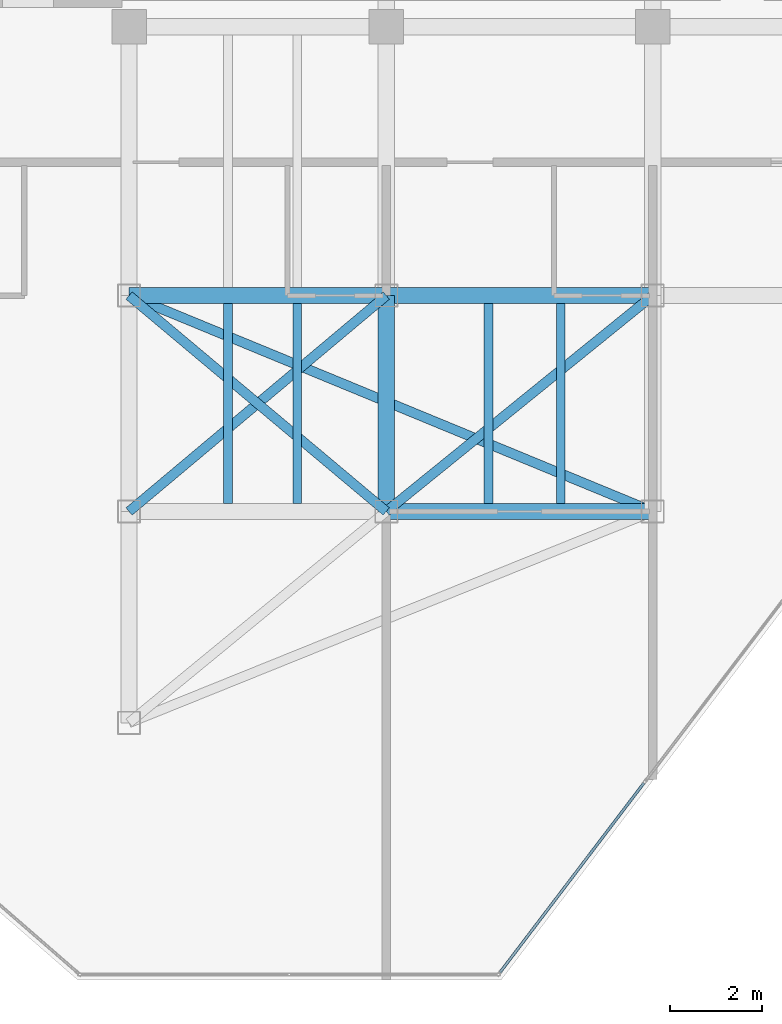
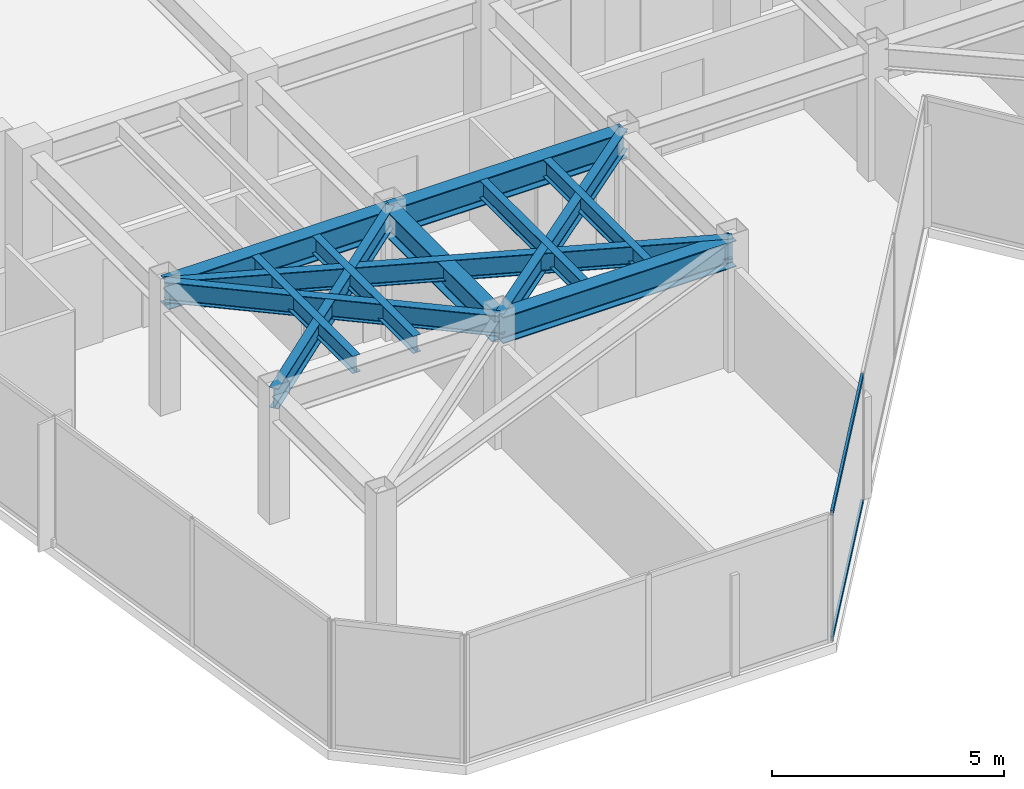
# One storey, part 6 of 20: 12 beams, 2 members, 1 element without a shape of its own.
"""IFC4 building model written with IfcOpenShell, lengths in metres."""

from ifc_helpers import new_model, si_unit, direction, frame, origin, origin_2d, place, context, subcontext, project, spatial, hollow_rectangle, i_section, extrude, material, layer, layer_set, material_profile, profile_set, type_object, element, aggregate, save


model = new_model("IFC4")

# Units and contexts
model_context = context("Model", 3, precision=1e-05, world=origin(), true_north=direction((0.0, 1.0)))
body_context = subcontext(model_context, "Body", "Model", "MODEL_VIEW")
ifc_project = project(units=[si_unit("LENGTHUNIT", "METRE"), si_unit("AREAUNIT", "SQUARE_METRE"), si_unit("VOLUMEUNIT", "CUBIC_METRE"), si_unit("PLANEANGLEUNIT", "RADIAN"), si_unit("MASSUNIT", "GRAM", prefix="KILO")], contexts=[model_context])

# Site, building, storey
site_placement = place(None, origin())
site = spatial("IfcSite", under=ifc_project, at=site_placement, CompositionType="ELEMENT")
building_placement = place(site_placement, origin())
building = spatial("IfcBuilding", under=site, at=building_placement, Name="Kravanh Interchange Tower", CompositionType="ELEMENT")
storey_placement = place(building_placement, frame((0.0, 0.0, 238.199951171875)))
storey = spatial("IfcBuildingStorey", under=building, at=storey_placement, Name="L57", CompositionType="ELEMENT", Elevation=238.199951171875)

# Curtain wall, members
ifc_material_1 = material(Name="Anodised Bronze Aluminium", Category="aluminium")
ifc_layer = layer(ifc_material_1, 0.179931640625)
ifc_layer_set = layer_set([ifc_layer], Name="Unitised Curtain Wall System CW-HTL Luxury Hotel")
curtain_wall_type = type_object("IfcCurtainWallType", Name="Unitised Curtain Wall System CW-HTL Luxury Hotel", PredefinedType="NOTDEFINED", material=ifc_layer_set)
curtain_wall_placement = place(storey_placement, origin())
curtain_wall = element("IfcCurtainWall", 1, at=curtain_wall_placement, inside=storey, type_object=curtain_wall_type, Name="L57 Unitised Curtain Wall CW-L57-05", PredefinedType="NOTDEFINED")
ifc_material_2 = material(Name="Anodised Bronze Aluminium", Category="aluminium")
ifc_material_profile_1 = material_profile(ifc_material_2, hollow_rectangle(XDim=0.06005859375, YDim=0.139892578125, WallThickness=0.00390625, at=origin_2d()), Name="ALU60X140X4")
ifc_profile_set_1 = profile_set([ifc_material_profile_1], Name="Anodised Bronze Aluminium")
member_type = type_object("IfcMemberType", Name="Curtain Wall Transom ALU60X140X4 Bronze", PredefinedType="USERDEFINED", material=ifc_profile_set_1)
member_1_placement = place(storey_placement, frame((38.408935546875, 20.888916015625, 0.030029296875), z_axis=(-0.605089246946, -0.796157649734, 0.0), x_axis=(0.796157649734, -0.605089246946, 0.0)))
member_1 = element("IfcMember", 2, at=member_1_placement, type_object=member_type, Name="CW-HTL transom 3.1", ObjectType="TRANSOM", PredefinedType="USERDEFINED", context=body_context, shape_type="SweptSolid", body=[
    extrude(hollow_rectangle(XDim=0.06005859375, YDim=0.139892578125, WallThickness=0.00390625, at=origin_2d()), origin(), (0.0, 0.0, 1.0), 5.17626953125),
])
member_2_placement = place(storey_placement, frame((38.408935546875, 20.888916015625, 3.330078125), z_axis=(-0.605089246946, -0.796157649734, 0.0), x_axis=(0.796157649734, -0.605089246946, 0.0)))
member_2 = element("IfcMember", 3, at=member_2_placement, type_object=member_type, Name="CW-HTL transom 3.2", ObjectType="TRANSOM", PredefinedType="USERDEFINED", context=body_context, shape_type="SweptSolid", body=[
    extrude(hollow_rectangle(XDim=0.06005859375, YDim=0.139892578125, WallThickness=0.00390625, at=origin_2d()), origin(), (0.0, 0.0, 1.0), 5.17626953125),
])
aggregate(curtain_wall, [member_1, member_2])

# Beams
ifc_material_3 = material(Name="Structural Steel S355", Category="steel")
ifc_material_profile_2 = material_profile(ifc_material_3, i_section(OverallWidth=0.35498046875, OverallDepth=0.696044921875, WebThickness=0.015380859375, FlangeThickness=0.02490234375, FilletRadius=0.02392578125, at=origin_2d()), Name="W27X146")
ifc_profile_set_2 = profile_set([ifc_material_profile_2], Name="Structural Steel S355")
beam_type_1 = type_object("IfcBeamType", Name="Floor Beam W27X146 Structural Steel S355", PredefinedType="BEAM", material=ifc_profile_set_2)
beam_1_placement = place(storey_placement, frame((38.60009765625, 31.5, 3.011962890625), z_axis=(-1.0, 0.0, 0.0), x_axis=(0.0, -1.0, 0.0)))
element("IfcBeam", 4, at=beam_1_placement, inside=storey, type_object=beam_type_1, Name="L57 Primary Floor Girder 18", PredefinedType="BEAM", context=body_context, shape_type="SweptSolid", body=[
    extrude(i_section(OverallWidth=0.35498046875, OverallDepth=0.696044921875, WebThickness=0.015380859375, FlangeThickness=0.02490234375, FilletRadius=0.02392578125, at=origin_2d()), origin(), (0.0, 0.0, 1.0), 5.800048828125),
])
beam_2_placement = place(storey_placement, frame((32.800048828125, 31.5, 3.011962890625), z_axis=(0.0, -1.0, 0.0), x_axis=(1.0, 0.0, 0.0)))
element("IfcBeam", 5, at=beam_2_placement, inside=storey, type_object=beam_type_1, Name="L57 Primary Floor Girder 21", PredefinedType="BEAM", context=body_context, shape_type="SweptSolid", body=[
    extrude(i_section(OverallWidth=0.35498046875, OverallDepth=0.696044921875, WebThickness=0.015380859375, FlangeThickness=0.02490234375, FilletRadius=0.02392578125, at=origin_2d()), origin(), (0.0, 0.0, 1.0), 4.699951171875),
])
beam_3_placement = place(storey_placement, frame((32.800048828125, 31.5, 3.011962890625), z_axis=(-1.0, 0.0, 0.0), x_axis=(0.0, -1.0, 0.0)))
element("IfcBeam", 6, at=beam_3_placement, inside=storey, type_object=beam_type_1, Name="L57 Primary Floor Girder 22", PredefinedType="BEAM", context=body_context, shape_type="SweptSolid", body=[
    extrude(i_section(OverallWidth=0.35498046875, OverallDepth=0.696044921875, WebThickness=0.015380859375, FlangeThickness=0.02490234375, FilletRadius=0.02392578125, at=origin_2d()), origin(), (0.0, 0.0, 1.0), 5.60009765625),
])
beam_4_placement = place(storey_placement, frame((38.60009765625, 26.800048828125, 3.011962890625), z_axis=(-1.0, 0.0, 0.0), x_axis=(0.0, -1.0, 0.0)))
element("IfcBeam", 7, at=beam_4_placement, inside=storey, type_object=beam_type_1, Name="L57 Primary Floor Girder 29", PredefinedType="BEAM", context=body_context, shape_type="SweptSolid", body=[
    extrude(i_section(OverallWidth=0.35498046875, OverallDepth=0.696044921875, WebThickness=0.015380859375, FlangeThickness=0.02490234375, FilletRadius=0.02392578125, at=origin_2d()), origin(), (0.0, 0.0, 1.0), 5.800048828125),
])
ifc_material_4 = material(Name="Structural Steel S355", Category="steel")
ifc_material_profile_3 = material_profile(ifc_material_4, i_section(OverallWidth=0.18994140625, OverallDepth=0.45703125, WebThickness=0.009033203125, FlangeThickness=0.014404296875, FilletRadius=0.01806640625, at=origin_2d()), Name="W18X50")
ifc_profile_set_3 = profile_set([ifc_material_profile_3], Name="Structural Steel S355")
beam_type_2 = type_object("IfcBeamType", Name="Floor Joist W18X50 Structural Steel S355", PredefinedType="JOIST", material=ifc_profile_set_3)
for number, where, z_axis, x_axis, name in (
    (8, (29.35498046875, 26.972412109375, 3.131591796875), (0.0, 1.0, 0.0), (-1.0, 0.0, 0.0), "L57 Secondary Floor Joist 3"),
    (9, (30.860107421875, 26.972412109375, 3.131591796875), (0.0, 1.0, 0.0), (-1.0, 0.0, 0.0), "L57 Secondary Floor Joist 4"),
    (10, (35.02490234375, 26.972412109375, 3.131591796875), (0.0, 1.0, 0.0), (-1.0, 0.0, 0.0), "L57 Secondary Floor Joist 5"),
    (11, (36.60009765625, 26.972412109375, 3.131591796875), (0.0, 1.0, 0.0), (-1.0, 0.0, 0.0), "L57 Secondary Floor Joist 6"),
):
    element("IfcBeam", number, at=place(storey_placement, frame(where, z_axis=z_axis, x_axis=x_axis)), inside=storey, type_object=beam_type_2, Name=name, PredefinedType="JOIST", context=body_context, shape_type="SweptSolid", body=[
        extrude(i_section(OverallWidth=0.18994140625, OverallDepth=0.45703125, WebThickness=0.009033203125, FlangeThickness=0.014404296875, FilletRadius=0.01806640625, at=origin_2d()), origin(), (0.0, 0.0, 1.0), 4.35498046875),
    ])
ifc_material_5 = material(Name="Structural Steel S355", Category="steel")
ifc_material_profile_4 = material_profile(ifc_material_5, i_section(OverallWidth=0.2099609375, OverallDepth=0.537109375, WebThickness=0.010986328125, FlangeThickness=0.017333984375, FilletRadius=0.02001953125, at=origin_2d()), Name="W21X68")
ifc_profile_set_4 = profile_set([ifc_material_profile_4], Name="Structural Steel S355")
beam_type_3 = type_object("IfcBeamType", Name="Floor Spandrel W21X68 Structural Steel S355", PredefinedType="SPANDREL", material=ifc_profile_set_4)
beam_5_placement = place(storey_placement, frame((38.60009765625, 31.5, 3.091552734375), z_axis=(-0.776938619557, -0.629576350764, 0.0), x_axis=(0.629576350764, -0.776938619557, 0.0)))
element("IfcBeam", 12, at=beam_5_placement, inside=storey, type_object=beam_type_3, Name="L57 Perimeter Spandrel 20", PredefinedType="SPANDREL", context=body_context, shape_type="SweptSolid", body=[
    extrude(i_section(OverallWidth=0.2099609375, OverallDepth=0.537109375, WebThickness=0.010986328125, FlangeThickness=0.017333984375, FilletRadius=0.02001953125, at=origin_2d()), origin(), (0.0, 0.0, 1.0), 7.46533203125),
])
for number, where, z_axis, x_axis, name in (
    (13, (32.800048828125, 31.5, 3.091552734375), (-0.765983062929, -0.642860752657, 0.0), (0.642860752657, -0.765983062929, 0.0), "L57 Perimeter Spandrel 24"),
    (14, (27.199951171875, 31.5, 3.091552734375), (0.765983062929, -0.642860752657, 0.0), (0.642860752657, 0.765983062929, 0.0), "L57 Perimeter Spandrel 27"),
):
    element("IfcBeam", number, at=place(storey_placement, frame(where, z_axis=z_axis, x_axis=x_axis)), inside=storey, type_object=beam_type_3, Name=name, PredefinedType="SPANDREL", context=body_context, shape_type="SweptSolid", body=[
        extrude(i_section(OverallWidth=0.2099609375, OverallDepth=0.537109375, WebThickness=0.010986328125, FlangeThickness=0.017333984375, FilletRadius=0.02001953125, at=origin_2d()), origin(), (0.0, 0.0, 1.0), 7.31103515625),
    ])
beam_6_placement = place(storey_placement, frame((27.199951171875, 31.5, 3.091552734375), z_axis=(0.924513176562, -0.381150083778, 0.0), x_axis=(0.381150083778, 0.924513176562, 0.0)))
element("IfcBeam", 15, at=beam_6_placement, inside=storey, type_object=beam_type_3, Name="L57 Perimeter Spandrel 28", PredefinedType="SPANDREL", context=body_context, shape_type="SweptSolid", body=[
    extrude(i_section(OverallWidth=0.2099609375, OverallDepth=0.537109375, WebThickness=0.010986328125, FlangeThickness=0.017333984375, FilletRadius=0.02001953125, at=origin_2d()), origin(), (0.0, 0.0, 1.0), 12.3310546875),
])

save(model, "model.ifc")
